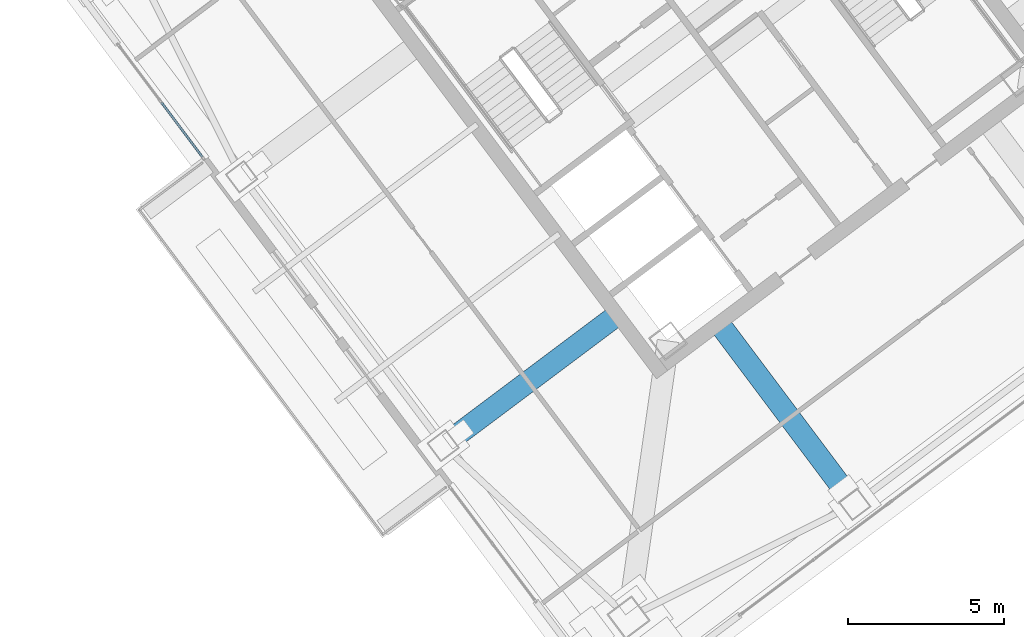
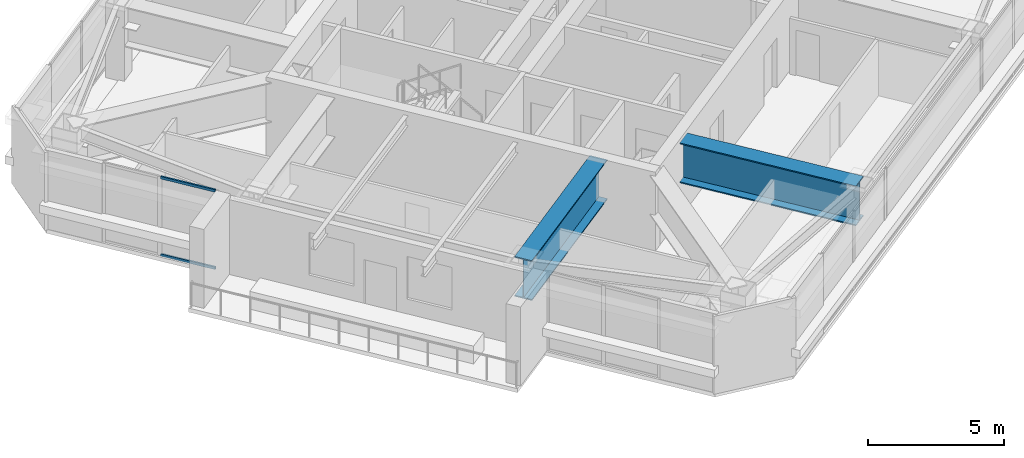
# One storey, part 19 of 40: 2 beams, 2 members, 1 element without a shape of its own.
"""IFC4 building model written with IfcOpenShell, lengths in metres."""

from ifc_helpers import new_model, si_unit, direction, frame, origin, origin_2d, place, context, subcontext, project, spatial, hollow_rectangle, i_section, extrude, material, material_profile, profile_set, type_object, element, aggregate, save


model = new_model("IFC4")

# Units and contexts
model_context = context("Model", 3, precision=1e-05, world=origin(), true_north=direction((0.0, 1.0)))
body_context = subcontext(model_context, "Body", "Model", "MODEL_VIEW")
ifc_project = project(units=[si_unit("LENGTHUNIT", "METRE"), si_unit("AREAUNIT", "SQUARE_METRE"), si_unit("VOLUMEUNIT", "CUBIC_METRE"), si_unit("PLANEANGLEUNIT", "RADIAN"), si_unit("MASSUNIT", "GRAM", prefix="KILO")], contexts=[model_context])

# Site, building, storey
site_placement = place(None, origin())
site = spatial("IfcSite", under=ifc_project, at=site_placement, CompositionType="ELEMENT")
building_placement = place(site_placement, origin())
building = spatial("IfcBuilding", under=site, at=building_placement, Name="Tashvorn Skyway Center", CompositionType="ELEMENT")
storey_placement = place(building_placement, frame((0.0, 0.0, 229.050048828125)))
storey = spatial("IfcBuildingStorey", under=building, at=storey_placement, Name="L62", CompositionType="ELEMENT", Elevation=229.050048828125)

# Beams
ifc_material_1 = material(Name="Steel ASTM A572 Grade 50", Category="steel")
ifc_material_profile_1 = material_profile(ifc_material_1, i_section(OverallWidth=0.699951171875, OverallDepth=1.800048828125, WebThickness=0.031982421875, FlangeThickness=0.050048828125, at=origin_2d()), Name="PG1800x700")
ifc_profile_set_1 = profile_set([ifc_material_profile_1], Name="Steel ASTM A572 Grade 50")
beam_type = type_object("IfcBeamType", Name="BM-BEAM-PG1800x700", PredefinedType="BEAM", material=ifc_profile_set_1)
for number, where, z_axis, x_axis, name in (
    (1, (118.590087890625, 16.8798828125, 2.469970703125), (-0.600016574915, 0.799987568546, 0.0), (-0.799987568546, -0.600016574915, 0.0), "Tower 2 L62 Setback Transfer Girder FC-S1"),
    (2, (105.360107421875, 18.77001953125, 2.469970703125), (0.800004143828, 0.599994474857, 0.0), (-0.599994474857, 0.800004143828, 0.0), "Tower 2 L62 Setback Transfer Girder FC-W2"),
):
    element("IfcBeam", number, at=place(storey_placement, frame(where, z_axis=z_axis, x_axis=x_axis)), inside=storey, type_object=beam_type, Name=name, PredefinedType="BEAM", context=body_context, shape_type="SweptSolid", body=[
        extrude(i_section(OverallWidth=0.699951171875, OverallDepth=1.800048828125, WebThickness=0.031982421875, FlangeThickness=0.050048828125, at=origin_2d()), origin(), (0.0, 0.0, 1.0), 7.070068359375),
    ])

# Curtain wall, members
ifc_material_2 = material(Name="Thermally broken bronze-anodized aluminium 6063-T6", Category="aluminium")
curtain_wall_type = type_object("IfcCurtainWallType", Name="CW-CW-Z5", PredefinedType="NOTDEFINED", material=ifc_material_2)
curtain_wall_placement = place(storey_placement, origin())
curtain_wall = element("IfcCurtainWall", 3, at=curtain_wall_placement, inside=storey, type_object=curtain_wall_type, Name="Tower 2 L62 West Curtain Wall R Glazing Group 1", PredefinedType="NOTDEFINED")
ifc_material_profile_2 = material_profile(ifc_material_2, hollow_rectangle(XDim=0.070068359375, YDim=0.114990234375, WallThickness=0.00390625, at=origin_2d()), Name="ALU-TRAN-70x115")
ifc_profile_set_2 = profile_set([ifc_material_profile_2], Name="Thermally broken bronze-anodized aluminium 6063-T6")
member_type = type_object("IfcMemberType", Name="CWT-CW-Z5", PredefinedType="USERDEFINED", material=ifc_profile_set_2)
member_1_placement = place(storey_placement, frame((97.614013671875, 28.048095703125, 0.034912109375), z_axis=(-0.600035702531, 0.799973221857, 0.0), x_axis=(-0.799973221857, -0.600035702531, 0.0)))
member_1 = element("IfcMember", 4, at=member_1_placement, type_object=member_type, Name="CW-Z5 transom 1.1", ObjectType="TRANSOM", PredefinedType="USERDEFINED", context=body_context, shape_type="SweptSolid", body=[
    extrude(hollow_rectangle(XDim=0.070068359375, YDim=0.114990234375, WallThickness=0.00390625, at=origin_2d()), origin(), (0.0, 0.0, 1.0), 2.188232421875),
])
member_2_placement = place(storey_placement, frame((97.614013671875, 28.048095703125, 3.514892578125), z_axis=(-0.600035702531, 0.799973221857, 0.0), x_axis=(-0.799973221857, -0.600035702531, 0.0)))
member_2 = element("IfcMember", 5, at=member_2_placement, type_object=member_type, Name="CW-Z5 transom 1.2", ObjectType="TRANSOM", PredefinedType="USERDEFINED", context=body_context, shape_type="SweptSolid", body=[
    extrude(hollow_rectangle(XDim=0.070068359375, YDim=0.114990234375, WallThickness=0.00390625, at=origin_2d()), origin(), (0.0, 0.0, 1.0), 2.188232421875),
])
aggregate(curtain_wall, [member_1, member_2])

save(model, "model.ifc")
